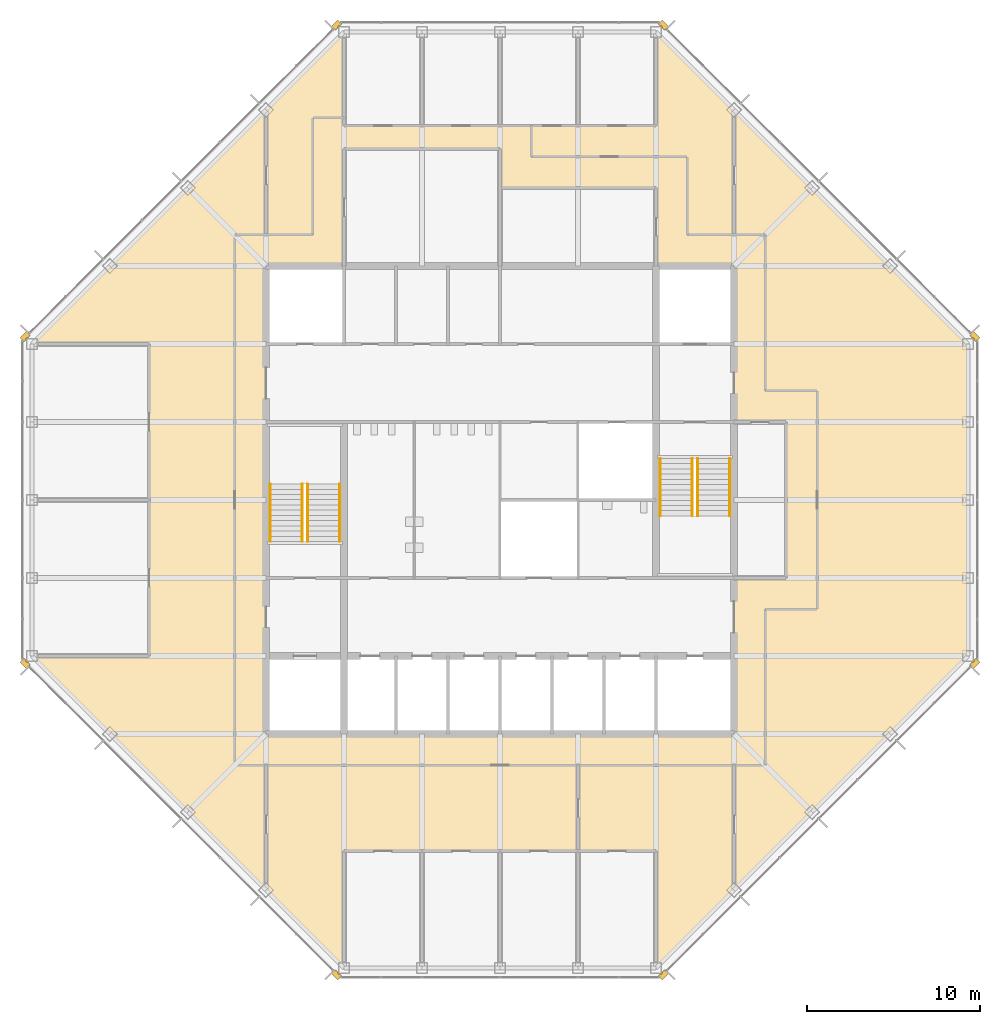
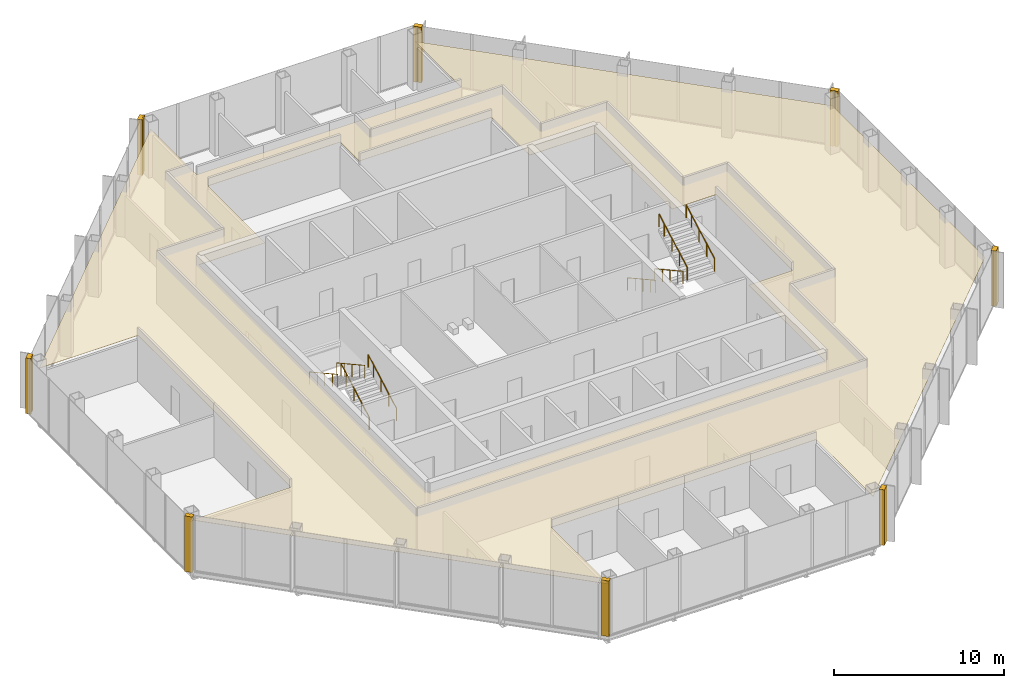
# One storey, part 13 of 14: 9 coverings, 8 railings.
"""IFC4 building model written with IfcOpenShell, lengths in metres."""

import ifcopenshell
import ifcopenshell.guid

model = None  # the IFC model being written
_history = None  # IfcOwnerHistory: only IFC2X3 demands one
_inside = {}  # id of a spatial element -> (the spatial element, [elements in it])
_under = {}  # id of a project, library or spatial element -> (it, [spatial elements below it])
_declared = {}  # id of a project -> (the project, [libraries it declares])
_typed = {}  # id of a type object -> (the type object, [elements of that type])
_made_of = {}  # id of a material, layer set ... -> (it, [elements and type objects made of it])


def new_model(schema):
    """Start an empty IFC model of exactly this schema.

    Asked for "IFC4X3", IfcOpenShell would pick the latest addendum, in which some entities
    have other attributes; the version numbers below select the first issue.
    IFC2X3 requires an IfcOwnerHistory on every rooted entity: one is made here for all.
    """
    global model, _history
    if schema == "IFC4X3":
        model = ifcopenshell.file(schema_version=(4, 3, 0, 0))
    else:
        model = ifcopenshell.file(schema=schema)
    _inside.clear()
    _under.clear()
    _declared.clear()
    _typed.clear()
    _made_of.clear()
    _history = None
    if model.schema == "IFC2X3":
        org = make("IfcOrganization", Name="unknown")
        user = make(
            "IfcPersonAndOrganization",
            ThePerson=make("IfcPerson", FamilyName="unknown"),
            TheOrganization=org,
        )
        app = make(
            "IfcApplication",
            ApplicationDeveloper=org,
            Version="unknown",
            ApplicationFullName="unknown",
            ApplicationIdentifier="unknown",
        )
        _history = make(
            "IfcOwnerHistory",
            OwningUser=user,
            OwningApplication=app,
            ChangeAction="ADDED",
            CreationDate=0,
        )
    return model


def make(cls, **values):
    """One entity of the class cls with the attributes given. An attribute that is None is left unset."""
    return model.create_entity(
        cls, **{name: value for name, value in values.items() if value is not None}
    )


def rooted(cls, **values):
    """An entity with a GlobalId (a new one), such as an element, a storey or a relation."""
    return make(cls, GlobalId=ifcopenshell.guid.new(), OwnerHistory=_history, **values)


def si_unit(unit_type, name, prefix=None):
    """IfcSIUnit, for example si_unit("LENGTHUNIT", "METRE", prefix="MILLI")."""
    return make("IfcSIUnit", UnitType=unit_type, Prefix=prefix, Name=name)


def assignment(units):
    """IfcUnitAssignment: the units of a project."""
    return None if units is None else make("IfcUnitAssignment", Units=units)


def point(xyz):
    """IfcCartesianPoint."""
    return None if xyz is None else make("IfcCartesianPoint", Coordinates=xyz)


def direction(xyz):
    """IfcDirection."""
    return None if xyz is None else make("IfcDirection", DirectionRatios=xyz)


def frame(location, z_axis=None, x_axis=None):
    """IfcAxis2Placement3D, a coordinate frame: its origin and axes. An axis left out is left unset."""
    return make(
        "IfcAxis2Placement3D",
        Location=point(location),
        Axis=direction(z_axis),
        RefDirection=direction(x_axis),
    )


def frame_2d(location, x_axis=None):
    """IfcAxis2Placement2D, a coordinate frame in the plane: its origin and x axis."""
    return make(
        "IfcAxis2Placement2D", Location=point(location), RefDirection=direction(x_axis)
    )


def origin():
    """The frame at (0, 0, 0) with its axes left unset."""
    return frame((0.0, 0.0, 0.0))


def origin_2d():
    """The frame at (0, 0) in the plane with its x axis left unset."""
    return frame_2d((0.0, 0.0))


def place(relative_to, where):
    """IfcLocalPlacement: puts the frame where relative to a parent placement (None: the world)."""
    return make(
        "IfcLocalPlacement", PlacementRelTo=relative_to, RelativePlacement=where
    )


def context(
    kind, dimensions, precision=None, world=None, true_north=None, identifier=None
):
    """IfcGeometricRepresentationContext, for example the 3D "Model" context."""
    return make(
        "IfcGeometricRepresentationContext",
        ContextIdentifier=identifier,
        ContextType=kind,
        CoordinateSpaceDimension=dimensions,
        Precision=precision,
        WorldCoordinateSystem=world,
        TrueNorth=true_north,
    )


def subcontext(parent, identifier, kind, view, scale=None):
    """IfcGeometricRepresentationSubContext, for example "Body" below "Model"."""
    return make(
        "IfcGeometricRepresentationSubContext",
        ContextIdentifier=identifier,
        ContextType=kind,
        ParentContext=parent,
        TargetScale=scale,
        TargetView=view,
    )


def project(units=None, contexts=None):
    """IfcProject with its units and contexts."""
    return rooted(
        "IfcProject",
        Name="project",
        RepresentationContexts=contexts,
        UnitsInContext=assignment(units),
    )


def spatial(cls, under=None, at=None, **own):
    """A site, building, storey or space (cls), placed at a placement, below another one or the project."""
    s = rooted(cls, ObjectPlacement=at, **own)
    if under is not None:
        _under.setdefault(under.id(), (under, []))[1].append(s)
    return s


def polyline(points):
    """IfcPolyline through the points."""
    return make("IfcPolyline", Points=[point(p) for p in points])


def profile(cls, at=None, kind="AREA", **sizes):
    """A parametric profile (cls). Its sizes go by their IFC names, for example OverallWidth=200.0."""
    return make(cls, ProfileType=kind, Position=at, **sizes)


def circle(**sizes):
    """IfcCircleProfileDef."""
    return profile("IfcCircleProfileDef", **sizes)


def outline(outer, holes=None, kind="AREA"):
    """IfcArbitraryClosedProfileDef: a profile drawn as a closed curve; with holes, ...WithVoids."""
    if holes is None:
        return make("IfcArbitraryClosedProfileDef", ProfileType=kind, OuterCurve=outer)
    return make(
        "IfcArbitraryProfileDefWithVoids",
        ProfileType=kind,
        OuterCurve=outer,
        InnerCurves=holes,
    )


def extrude(swept, where, along, depth):
    """IfcExtrudedAreaSolid: the profile swept, set in the frame where, extruded along a direction by depth."""
    return make(
        "IfcExtrudedAreaSolid",
        SweptArea=swept,
        Position=where,
        ExtrudedDirection=direction(along),
        Depth=depth,
    )


def shape(context_of_items, identifier, shape_type, items):
    """IfcShapeRepresentation: the items that make up one representation, for example the "Body"."""
    return make(
        "IfcShapeRepresentation",
        ContextOfItems=context_of_items,
        RepresentationIdentifier=identifier,
        RepresentationType=shape_type,
        Items=items,
    )


def material(Name=None, Category=None):
    """IfcMaterial."""
    return make("IfcMaterial", Name=Name, Category=Category)


def layer(
    of_material, thickness, ventilated=None, Name=None, Category=None, Priority=None
):
    """IfcMaterialLayer: one layer of a wall or slab, of a material (None: an air gap)."""
    return make(
        "IfcMaterialLayer",
        Material=of_material,
        LayerThickness=thickness,
        IsVentilated=ventilated,
        Name=Name,
        Category=Category,
        Priority=Priority,
    )


def layer_set(layers, Name=None):
    """IfcMaterialLayerSet."""
    return make("IfcMaterialLayerSet", MaterialLayers=layers, LayerSetName=Name)


def made_of(thing, what):
    """Note that an element or type object is made of a material, layer set ...; save() writes the relation."""
    if what is not None:
        _made_of.setdefault(what.id(), (what, []))[1].append(thing)
    return thing


def type_object(cls, material=None, **own):
    """A type object (cls), such as IfcWallType, which elements share."""
    return made_of(rooted(cls, **own), material)


def element(
    cls,
    number,
    at=None,
    inside=None,
    cuts=None,
    type_object=None,
    material=None,
    context=None,
    identifier="Body",
    shape_type=None,
    held_by="IfcProductDefinitionShape",
    body=None,
    shapes=None,
    **own,
):
    """One element of the class cls, such as IfcWall. Its Tag is "e" and its number.

    at: its placement. inside: the storey or other place that contains it. cuts: it is an
    opening in that element (IfcRelVoidsElement). A single representation is given by context,
    identifier, shape_type and body (its items); several are given by shapes. held_by: the class
    of the entity that holds the representations. save() writes the other relations.
    """
    e = rooted(cls, Tag="e%d" % number, ObjectPlacement=at, **own)
    if body is not None:
        shapes = [shape(context, identifier, shape_type, body)]
    if shapes is not None:
        e.Representation = make(held_by, Representations=shapes)
    if inside is not None:
        _inside.setdefault(inside.id(), (inside, []))[1].append(e)
    if cuts is not None:
        rooted(
            "IfcRelVoidsElement", RelatingBuildingElement=cuts, RelatedOpeningElement=e
        )
    if type_object is not None:
        _typed.setdefault(type_object.id(), (type_object, []))[1].append(e)
    return made_of(e, material)


def aggregate(whole, parts):
    """IfcRelAggregates: a whole, such as a stair, and the parts it consists of."""
    return rooted("IfcRelAggregates", RelatingObject=whole, RelatedObjects=parts)


def save(model, path):
    """Write the relations noted so far, then the file.

    IfcRelAggregates (storeys below a building ...), IfcRelContainedInSpatialStructure (elements
    in a storey), IfcRelDefinesByType, IfcRelAssociatesMaterial and IfcRelDeclares: one each for
    every whole, place, type object, material and project.
    """
    for whole, parts in _under.values():
        aggregate(whole, parts)
    for where, things in _inside.values():
        rooted(
            "IfcRelContainedInSpatialStructure",
            RelatedElements=things,
            RelatingStructure=where,
        )
    for kind, things in _typed.values():
        rooted("IfcRelDefinesByType", RelatedObjects=things, RelatingType=kind)
    for what, things in _made_of.values():
        rooted("IfcRelAssociatesMaterial", RelatedObjects=things, RelatingMaterial=what)
    for by, libraries in _declared.values():
        rooted("IfcRelDeclares", RelatingContext=by, RelatedDefinitions=libraries)
    model.write(path)


model = new_model("IFC4")

# Units and contexts
model_context = context("Model", 3, precision=1e-05, world=origin(), true_north=direction((0.0, 1.0)))
body_context = subcontext(model_context, "Body", "Model", "MODEL_VIEW")
ifc_project = project(units=[si_unit("LENGTHUNIT", "METRE"), si_unit("AREAUNIT", "SQUARE_METRE"), si_unit("VOLUMEUNIT", "CUBIC_METRE"), si_unit("PLANEANGLEUNIT", "RADIAN"), si_unit("MASSUNIT", "GRAM", prefix="KILO")], contexts=[model_context])

# Site, building, storey
site_placement = place(None, origin())
site = spatial("IfcSite", under=ifc_project, at=site_placement, CompositionType="ELEMENT")
building_placement = place(site_placement, origin())
building = spatial("IfcBuilding", under=site, at=building_placement, Name="Corais Broadcast Tower", CompositionType="ELEMENT")
storey_placement = place(building_placement, frame((0.0, 0.0, 258.60009765625)))
storey = spatial("IfcBuildingStorey", under=building, at=storey_placement, Name="L60", CompositionType="ELEMENT", Elevation=258.60009765625)

# Railings
ifc_material_1 = material(Name="Stainless steel handrail", Category="steel")
railing_type = type_object("IfcRailingType", Name="Handrail 920", PredefinedType="HANDRAIL", material=ifc_material_1)
for number, where, name in (
    (1, (17.75, 24.60009765625, 0.16650390625), "HR1 L60"),
    (2, (15.89990234375, 24.60009765625, 0.16650390625), "HR1 L60"),
):
    element("IfcRailing", number, at=place(storey_placement, frame(where)), inside=storey, type_object=railing_type, Name=name, PredefinedType="HANDRAIL", context=body_context, shape_type="SweptSolid", body=[
        extrude(circle(Radius=0.02392578125, at=origin_2d()), frame((0.0, 0.0, 0.89599609375), z_axis=(0.0, 0.875504475178, 0.483210010185), x_axis=(-1.0, 0.0, 0.0)), (0.0, 0.0, 1.0), 3.79443359375),
        extrude(circle(Radius=0.02099609375, at=origin_2d()), origin(), (0.0, 0.0, 1.0), 0.871826171875),
        extrude(circle(Radius=0.02099609375, at=origin_2d()), frame((0.0, 0.906005859375, 0.5)), (0.0, 0.0, 1.0), 0.871826171875),
        extrude(circle(Radius=0.02099609375, at=origin_2d()), frame((0.0, 1.81201171875, 1.0)), (0.0, 0.0, 1.0), 0.871826171875),
        extrude(circle(Radius=0.02099609375, at=origin_2d()), frame((0.0, 2.718017578125, 1.500244140625)), (0.0, 0.0, 1.0), 0.871826171875),
        extrude(circle(Radius=0.02099609375, at=origin_2d()), frame((0.0, 3.322021484375, 1.83349609375)), (0.0, 0.0, 1.0), 0.871826171875),
    ])
for number, where, name in (
    (3, (13.75, 27.922119140625, 2.16650390625), "HR1 L60"),
    (4, (15.60009765625, 27.922119140625, 2.16650390625), "HR1 L60"),
    (5, (36.25, 29.39990234375, 0.16650390625), "HR1 L60"),
    (6, (38.10009765625, 29.39990234375, 0.16650390625), "HR1 L60"),
):
    element("IfcRailing", number, at=place(storey_placement, frame(where)), inside=storey, type_object=railing_type, Name=name, PredefinedType="HANDRAIL", context=body_context, shape_type="SweptSolid", body=[
        extrude(circle(Radius=0.02392578125, at=origin_2d()), frame((0.0, 0.0, 0.89599609375), z_axis=(0.0, -0.875504475178, 0.483210010185), x_axis=(1.0, 0.0, 0.0)), (0.0, 0.0, 1.0), 3.79443359375),
        extrude(circle(Radius=0.02099609375, at=origin_2d()), origin(), (0.0, 0.0, 1.0), 0.871826171875),
        extrude(circle(Radius=0.02099609375, at=origin_2d()), frame((0.0, -0.906005859375, 0.5)), (0.0, 0.0, 1.0), 0.871826171875),
        extrude(circle(Radius=0.02099609375, at=origin_2d()), frame((0.0, -1.81201171875, 1.0)), (0.0, 0.0, 1.0), 0.871826171875),
        extrude(circle(Radius=0.02099609375, at=origin_2d()), frame((0.0, -2.718017578125, 1.500244140625)), (0.0, 0.0, 1.0), 0.871826171875),
        extrude(circle(Radius=0.02099609375, at=origin_2d()), frame((0.0, -3.322021484375, 1.83349609375)), (0.0, 0.0, 1.0), 0.871826171875),
    ])
for number, where, name in (
    (7, (40.25, 26.077880859375, 2.16650390625), "HR1 L60"),
    (8, (38.39990234375, 26.077880859375, 2.16650390625), "HR1 L60"),
):
    element("IfcRailing", number, at=place(storey_placement, frame(where)), inside=storey, type_object=railing_type, Name=name, PredefinedType="HANDRAIL", context=body_context, shape_type="SweptSolid", body=[
        extrude(circle(Radius=0.02392578125, at=origin_2d()), frame((0.0, 0.0, 0.89599609375), z_axis=(0.0, 0.875504475178, 0.483210010185), x_axis=(-1.0, 0.0, 0.0)), (0.0, 0.0, 1.0), 3.79443359375),
        extrude(circle(Radius=0.02099609375, at=origin_2d()), origin(), (0.0, 0.0, 1.0), 0.871826171875),
        extrude(circle(Radius=0.02099609375, at=origin_2d()), frame((0.0, 0.906005859375, 0.5)), (0.0, 0.0, 1.0), 0.871826171875),
        extrude(circle(Radius=0.02099609375, at=origin_2d()), frame((0.0, 1.81201171875, 1.0)), (0.0, 0.0, 1.0), 0.871826171875),
        extrude(circle(Radius=0.02099609375, at=origin_2d()), frame((0.0, 2.718017578125, 1.500244140625)), (0.0, 0.0, 1.0), 0.871826171875),
        extrude(circle(Radius=0.02099609375, at=origin_2d()), frame((0.0, 3.322021484375, 1.83349609375)), (0.0, 0.0, 1.0), 0.871826171875),
    ])

# Coverings
ifc_material_2 = material(Name="Granite stone cladding", Category="masonry")
ifc_layer_1 = layer(ifc_material_2, 0.324951171875)
ifc_layer_set_1 = layer_set([ifc_layer_1], Name="Granite stone cladding")
covering_type_1 = type_object("IfcCoveringType", Name="Stone corner pier cladding 500x325", PredefinedType="CLADDING", material=ifc_layer_set_1)
covering_1_placement = place(storey_placement, origin())
element("IfcCovering", 9, at=covering_1_placement, inside=storey, type_object=covering_type_1, Name="SP1 stone corner pier L60", PredefinedType="CLADDING", context=body_context, shape_type="SweptSolid", body=[
    extrude(outline(polyline([(17.860595703125, -0.461669921875), (17.7490234375, -0.35009765625), (17.64990234375, -0.35009765625), (17.64990234375, -0.2509765625), (17.507080078125, -0.108154296875), (17.277099609375, -0.337890625), (17.630859375, -0.69140625), (17.860595703125, -0.461669921875)])), origin(), (0.0, 0.0, 1.0), 4.0),
])
covering_2_placement = place(storey_placement, origin())
element("IfcCovering", 10, at=covering_2_placement, inside=storey, type_object=covering_type_1, Name="SP1 stone corner pier L60", PredefinedType="CLADDING", context=body_context, shape_type="SweptSolid", body=[
    extrude(outline(polyline([(-0.35009765625, 17.7490234375), (-0.461669921875, 17.860595703125), (-0.69140625, 17.630859375), (-0.337890625, 17.277099609375), (-0.108154296875, 17.507080078125), (-0.2509765625, 17.64990234375), (-0.35009765625, 17.64990234375), (-0.35009765625, 17.7490234375)])), origin(), (0.0, 0.0, 1.0), 4.0),
])
covering_3_placement = place(storey_placement, origin())
element("IfcCovering", 11, at=covering_3_placement, inside=storey, type_object=covering_type_1, Name="SP1 stone corner pier L60", PredefinedType="CLADDING", context=body_context, shape_type="SweptSolid", body=[
    extrude(outline(polyline([(-0.461669921875, 36.139404296875), (-0.35009765625, 36.2509765625), (-0.35009765625, 36.35009765625), (-0.2509765625, 36.35009765625), (-0.108154296875, 36.492919921875), (-0.337890625, 36.722900390625), (-0.69140625, 36.369140625), (-0.461669921875, 36.139404296875)])), origin(), (0.0, 0.0, 1.0), 4.0),
])
covering_4_placement = place(storey_placement, origin())
element("IfcCovering", 12, at=covering_4_placement, inside=storey, type_object=covering_type_1, Name="SP1 stone corner pier L60", PredefinedType="CLADDING", context=body_context, shape_type="SweptSolid", body=[
    extrude(outline(polyline([(17.7490234375, 54.35009765625), (17.860595703125, 54.461669921875), (17.630859375, 54.69140625), (17.277099609375, 54.337890625), (17.507080078125, 54.108154296875), (17.64990234375, 54.2509765625), (17.64990234375, 54.35009765625), (17.7490234375, 54.35009765625)])), origin(), (0.0, 0.0, 1.0), 4.0),
])
covering_5_placement = place(storey_placement, origin())
element("IfcCovering", 13, at=covering_5_placement, inside=storey, type_object=covering_type_1, Name="SP1 stone corner pier L60", PredefinedType="CLADDING", context=body_context, shape_type="SweptSolid", body=[
    extrude(outline(polyline([(36.139404296875, 54.461669921875), (36.2509765625, 54.35009765625), (36.35009765625, 54.35009765625), (36.35009765625, 54.2509765625), (36.492919921875, 54.108154296875), (36.722900390625, 54.337890625), (36.369140625, 54.69140625), (36.139404296875, 54.461669921875)])), origin(), (0.0, 0.0, 1.0), 4.0),
])
covering_6_placement = place(storey_placement, origin())
element("IfcCovering", 14, at=covering_6_placement, inside=storey, type_object=covering_type_1, Name="SP1 stone corner pier L60", PredefinedType="CLADDING", context=body_context, shape_type="SweptSolid", body=[
    extrude(outline(polyline([(54.35009765625, 36.2509765625), (54.461669921875, 36.139404296875), (54.69140625, 36.369140625), (54.337890625, 36.722900390625), (54.108154296875, 36.492919921875), (54.2509765625, 36.35009765625), (54.35009765625, 36.35009765625), (54.35009765625, 36.2509765625)])), origin(), (0.0, 0.0, 1.0), 4.0),
])
covering_7_placement = place(storey_placement, origin())
element("IfcCovering", 15, at=covering_7_placement, inside=storey, type_object=covering_type_1, Name="SP1 stone corner pier L60", PredefinedType="CLADDING", context=body_context, shape_type="SweptSolid", body=[
    extrude(outline(polyline([(54.461669921875, 17.860595703125), (54.35009765625, 17.7490234375), (54.35009765625, 17.64990234375), (54.2509765625, 17.64990234375), (54.108154296875, 17.507080078125), (54.337890625, 17.277099609375), (54.69140625, 17.630859375), (54.461669921875, 17.860595703125)])), origin(), (0.0, 0.0, 1.0), 4.0),
])
covering_8_placement = place(storey_placement, origin())
element("IfcCovering", 16, at=covering_8_placement, inside=storey, type_object=covering_type_1, Name="SP1 stone corner pier L60", PredefinedType="CLADDING", context=body_context, shape_type="SweptSolid", body=[
    extrude(outline(polyline([(36.2509765625, -0.35009765625), (36.139404296875, -0.461669921875), (36.369140625, -0.69140625), (36.722900390625, -0.337890625), (36.492919921875, -0.108154296875), (36.35009765625, -0.2509765625), (36.35009765625, -0.35009765625), (36.2509765625, -0.35009765625)])), origin(), (0.0, 0.0, 1.0), 4.0),
])
ifc_material_3 = material(Name="Mineral fibre ceiling tile", Category="mineral")
ifc_layer_2 = layer(ifc_material_3, 0.02001953125)
ifc_layer_set_2 = layer_set([ifc_layer_2], Name="Mineral fibre ceiling tile")
covering_type_2 = type_object("IfcCoveringType", Name="Suspended ceiling", PredefinedType="CEILING", material=ifc_layer_set_2)
covering_9_placement = place(storey_placement, frame((0.0, 0.0, 3.219970703125)))
element("IfcCovering", 17, at=covering_9_placement, inside=storey, type_object=covering_type_2, Name="CE1 ceiling L60", PredefinedType="CEILING", context=body_context, shape_type="SweptSolid", body=[
    extrude(outline(polyline([(13.5, 49.5), (18.0, 54.0), (18.0, 48.60009765625), (36.0, 48.60009765625), (36.0, 54.0), (54.0, 36.0), (54.0, 18.0), (40.500244140625, 4.500244140625), (40.498779296875, 4.498779296875), (40.498291015625, 4.498291015625), (36.0, 0.0), (36.0, 6.75), (18.0, 6.75), (18.0, 0.0), (13.501708984375, 4.498291015625), (13.499755859375, 4.500244140625), (0.0, 18.0), (6.75, 18.0), (6.75, 36.0), (0.0, 36.0), (13.5, 49.5)]), holes=[polyline([(40.5, 40.5), (36.0, 40.5), (36.0, 45.0), (27.0, 45.0), (27.0, 47.25), (18.0, 47.25), (18.0, 40.5), (13.5, 40.5), (13.5, 13.5), (40.5, 13.5), (40.5, 22.5), (43.5, 22.5), (43.5, 31.5), (40.5, 31.5), (40.5, 40.5)])]), origin(), (0.0, 0.0, 1.0), 0.02001953125),
])

save(model, "model.ifc")
